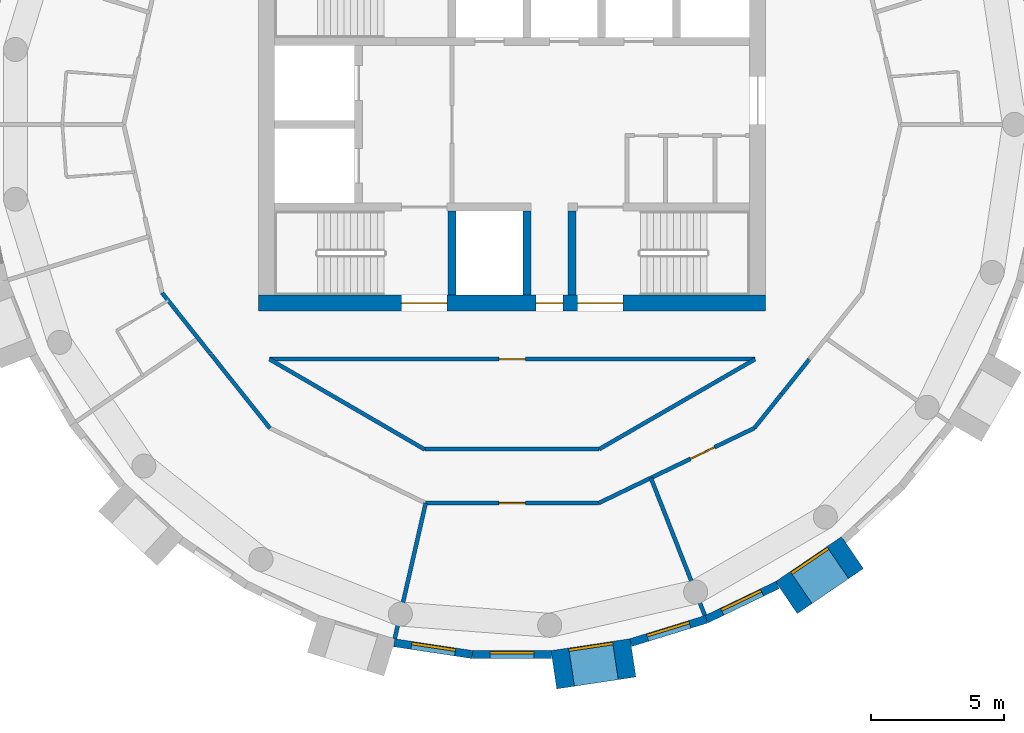
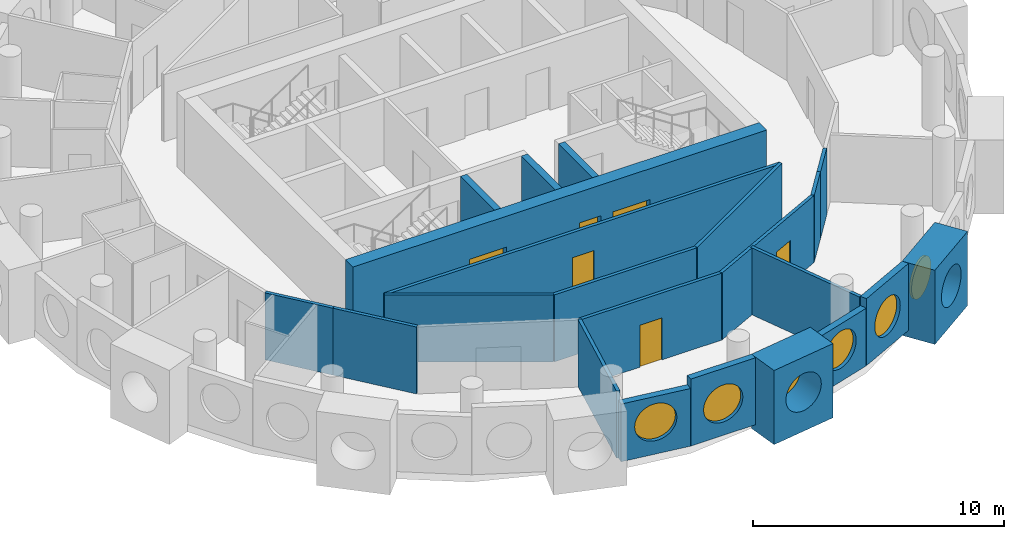
# One storey, part 3 of 12: 22 walls, 6 doors, 6 windows, 12 openings.
"""IFC4 building model written with IfcOpenShell, lengths in metres."""

from ifc_helpers import new_model, si_unit, direction, frame, frame_2d, origin, origin_2d, place, context, subcontext, project, spatial, rectangle, circle, extrude, material, layer, layer_set, type_object, element, fill, save


model = new_model("IFC4")

# Units and contexts
model_context = context("Model", 3, precision=1e-05, world=origin(), true_north=direction((0.0, 1.0)))
body_context = subcontext(model_context, "Body", "Model", "MODEL_VIEW")
ifc_project = project(units=[si_unit("LENGTHUNIT", "METRE"), si_unit("AREAUNIT", "SQUARE_METRE"), si_unit("VOLUMEUNIT", "CUBIC_METRE"), si_unit("PLANEANGLEUNIT", "RADIAN"), si_unit("MASSUNIT", "GRAM", prefix="KILO")], contexts=[model_context])

# Site, building, storey
site_placement = place(None, origin())
site = spatial("IfcSite", under=ifc_project, at=site_placement, CompositionType="ELEMENT")
building_placement = place(site_placement, origin())
building = spatial("IfcBuilding", under=site, at=building_placement, Name="Tracery Tower", CompositionType="ELEMENT")
storey_placement = place(building_placement, frame((0.0, 0.0, 305.39990234375)))
storey = spatial("IfcBuildingStorey", under=building, at=storey_placement, Name="L79", CompositionType="ELEMENT", Elevation=305.39990234375)

# Wall, openings, doors
ifc_material_1 = material(Name="Concrete C40/50", Category="concrete")
ifc_layer_1 = layer(ifc_material_1, 0.60009765625)
ifc_layer_set_1 = layer_set([ifc_layer_1], Name="Core wall 600 C40")
wall_type_1 = type_object("IfcWallType", Name="Core wall 600 C40", PredefinedType="SOLIDWALL", material=ifc_layer_set_1)
wall_1_placement = place(storey_placement, frame((-9.5, -6.699951171875, 0.0), z_axis=(0.0, 0.0, 1.0), x_axis=(1.0, 0.0, 0.0)))
wall_1 = element("IfcWall", 1, at=wall_1_placement, inside=storey, type_object=wall_type_1, Name="L79 outer S", PredefinedType="SOLIDWALL", context=body_context, shape_type="SweptSolid", body=[
    extrude(rectangle(XDim=19.0, YDim=0.60009765625, at=frame_2d((9.5, 0.0))), origin(), (0.0, 0.0, 1.0), 3.60009765625),
])
opening_1_placement = place(wall_1_placement, frame((10.39990234375, 0.0, 0.0)))
opening_1 = element("IfcOpeningElement", 2, at=opening_1_placement, cuts=wall_1, Name="Opening KD16", PredefinedType="OPENING", context=body_context, shape_type="SweptSolid", body=[
    extrude(rectangle(XDim=1.0, YDim=2.10009765625, at=frame_2d((0.5, 1.050048828125))), frame((0.0, 0.300048828125, 0.0), z_axis=(0.0, -1.0, 0.0), x_axis=(1.0, 0.0, 0.0)), (0.0, 0.0, 1.0), 0.60009765625),
])
opening_2_placement = place(wall_1_placement, frame((5.35009765625, 0.0, 0.0)))
opening_2 = element("IfcOpeningElement", 3, at=opening_2_placement, cuts=wall_1, Name="Opening KD3", PredefinedType="OPENING", context=body_context, shape_type="SweptSolid", body=[
    extrude(rectangle(XDim=1.699951171875, YDim=2.10009765625, at=frame_2d((0.85009765625, 1.050048828125))), frame((0.0, 0.300048828125, 0.0), z_axis=(0.0, -1.0, 0.0), x_axis=(1.0, 0.0, 0.0)), (0.0, 0.0, 1.0), 0.60009765625),
])
opening_3_placement = place(wall_1_placement, frame((11.949951171875, 0.0, 0.0)))
opening_3 = element("IfcOpeningElement", 4, at=opening_3_placement, cuts=wall_1, Name="Opening KD3", PredefinedType="OPENING", context=body_context, shape_type="SweptSolid", body=[
    extrude(rectangle(XDim=1.699951171875, YDim=2.10009765625, at=frame_2d((0.85009765625, 1.050048828125))), frame((0.0, 0.300048828125, 0.0), z_axis=(0.0, -1.0, 0.0), x_axis=(1.0, 0.0, 0.0)), (0.0, 0.0, 1.0), 0.60009765625),
])
ifc_material_2 = material(Name="Steel fire door", Category="steel")
door_type_1 = type_object("IfcDoorType", Name="Core exit door 1000", OperationType="NOTDEFINED", PredefinedType="DOOR", material=ifc_material_2)
door_1_placement = place(opening_1_placement, origin())
door_1 = element("IfcDoor", 5, at=door_1_placement, inside=storey, type_object=door_type_1, Name="Core exit door", OperationType="SINGLE_SWING_LEFT", OverallHeight=2.10009765625, OverallWidth=1.0, PredefinedType="DOOR", context=body_context, shape_type="SweptSolid", body=[
    extrude(rectangle(XDim=1.0, YDim=2.10009765625, at=frame_2d((0.5, 1.050048828125))), frame((0.0, 0.02490234375, 0.0), z_axis=(0.0, -1.0, 0.0), x_axis=(1.0, 0.0, 0.0)), (0.0, 0.0, 1.0), 0.050048828125),
])
fill(opening_1, door_1)
ifc_material_3 = material(Name="Steel fire door", Category="steel")
door_type_2 = type_object("IfcDoorType", Name="Core stair door 1700 double", OperationType="NOTDEFINED", PredefinedType="DOOR", material=ifc_material_3)
door_2_placement = place(opening_2_placement, origin())
door_2 = element("IfcDoor", 6, at=door_2_placement, inside=storey, type_object=door_type_2, Name="Stair door ST1 exit", OperationType="DOUBLE_DOOR_SINGLE_SWING", OverallHeight=2.10009765625, OverallWidth=1.699951171875, PredefinedType="DOOR", context=body_context, shape_type="SweptSolid", body=[
    extrude(rectangle(XDim=1.699951171875, YDim=2.10009765625, at=frame_2d((0.85009765625, 1.050048828125))), frame((0.0, 0.02490234375, 0.0), z_axis=(0.0, -1.0, 0.0), x_axis=(1.0, 0.0, 0.0)), (0.0, 0.0, 1.0), 0.050048828125),
])
fill(opening_2, door_2)
door_3_placement = place(opening_3_placement, origin())
door_3 = element("IfcDoor", 7, at=door_3_placement, inside=storey, type_object=door_type_2, Name="Stair door ST2 exit", OperationType="DOUBLE_DOOR_SINGLE_SWING", OverallHeight=2.10009765625, OverallWidth=1.699951171875, PredefinedType="DOOR", context=body_context, shape_type="SweptSolid", body=[
    extrude(rectangle(XDim=1.699951171875, YDim=2.10009765625, at=frame_2d((0.85009765625, 1.050048828125))), frame((0.0, 0.02490234375, 0.0), z_axis=(0.0, -1.0, 0.0), x_axis=(1.0, 0.0, 0.0)), (0.0, 0.0, 1.0), 0.050048828125),
])
fill(opening_3, door_3)

# Wall, opening, window
ifc_material_4 = material(Name="Precast concrete C50/60", Category="concrete")
ifc_layer_2 = layer(ifc_material_4, 1.449951171875)
ifc_layer_set_2 = layer_set([ifc_layer_2], Name="Deep-set bay unit 3000 x 3600, slab edge 350")
wall_type_2 = type_object("IfcWallType", Name="Deep-set bay unit 3000 x 3600, slab edge 350", PredefinedType="ELEMENTEDWALL", material=ifc_layer_set_2)
wall_2_placement = place(storey_placement, frame((1.563232421875, -20.436279296875, -0.349853515625), z_axis=(0.0, 0.0, 1.0), x_axis=(0.988836445254, 0.149004981587, 0.0)))
wall_2 = element("IfcWall", 8, at=wall_2_placement, inside=storey, type_object=wall_type_2, Name="Deep-set bay unit 33 at L79", PredefinedType="ELEMENTEDWALL", context=body_context, shape_type="SweptSolid", body=[
    extrude(rectangle(XDim=3.0, YDim=1.449951171875, at=frame_2d((1.5, 0.0))), origin(), (0.0, 0.0, 1.0), 3.599853515625),
])
opening_4_placement = place(wall_2_placement, frame((1.5, 0.0, 1.89990234375)))
opening_4 = element("IfcOpeningElement", 9, at=opening_4_placement, cuts=wall_2, Name="Opening WN1", PredefinedType="OPENING", context=body_context, shape_type="SweptSolid", body=[
    extrude(circle(Radius=0.9000244140625, at=origin_2d()), frame((0.0, 0.73486328125, 0.0), z_axis=(0.0, -1.0, 0.0), x_axis=(1.0, 0.0, 0.0)), (0.0, 0.0, 1.0), 1.469970703125),
])
ifc_material_5 = material(Name="Aluminium frame with tinted double glazing", Category="aluminium")
window_type = type_object("IfcWindowType", Name="Round window 1800", PartitioningType="SINGLE_PANEL", PredefinedType="WINDOW", material=ifc_material_5)
window_1_placement = place(opening_4_placement, origin())
window_1 = element("IfcWindow", 10, at=window_1_placement, inside=storey, type_object=window_type, Name="Round window 33 at L79", OverallHeight=1.800048828125, OverallWidth=1.800048828125, PartitioningType="SINGLE_PANEL", PredefinedType="WINDOW", context=body_context, shape_type="SweptSolid", body=[
    extrude(circle(Radius=0.9000244140625, at=origin_2d()), frame((0.0, 0.69482421875, 0.0), z_axis=(0.0, -1.0, 0.0), x_axis=(1.0, 0.0, 0.0)), (0.0, 0.0, 1.0), 0.10009765625),
])
fill(opening_4, window_1)

wall_3_placement = place(storey_placement, frame((10.275390625, -17.734130859375, -0.349853515625), z_axis=(0.0, 0.0, 1.0), x_axis=(0.826246281157, 0.563309047392, 0.0)))
wall_3 = element("IfcWall", 11, at=wall_3_placement, inside=storey, type_object=wall_type_2, Name="Deep-set bay unit 36 at L79", PredefinedType="ELEMENTEDWALL", context=body_context, shape_type="SweptSolid", body=[
    extrude(rectangle(XDim=3.0, YDim=1.449951171875, at=frame_2d((1.5, 0.0))), origin(), (0.0, 0.0, 1.0), 3.599853515625),
])
opening_5_placement = place(wall_3_placement, frame((1.5, 0.0, 1.89990234375)))
opening_5 = element("IfcOpeningElement", 12, at=opening_5_placement, cuts=wall_3, Name="Opening WN1", PredefinedType="OPENING", context=body_context, shape_type="SweptSolid", body=[
    extrude(circle(Radius=0.9000244140625, at=origin_2d()), frame((0.0, 0.73486328125, 0.0), z_axis=(0.0, -1.0, 0.0), x_axis=(1.0, 0.0, 0.0)), (0.0, 0.0, 1.0), 1.469970703125),
])
window_2_placement = place(opening_5_placement, origin())
window_2 = element("IfcWindow", 13, at=window_2_placement, inside=storey, type_object=window_type, Name="Round window 36 at L79", OverallHeight=1.800048828125, OverallWidth=1.800048828125, PartitioningType="SINGLE_PANEL", PredefinedType="WINDOW", context=body_context, shape_type="SweptSolid", body=[
    extrude(circle(Radius=0.9000244140625, at=origin_2d()), frame((0.0, 0.69482421875, 0.0), z_axis=(0.0, -1.0, 0.0), x_axis=(1.0, 0.0, 0.0)), (0.0, 0.0, 1.0), 0.10009765625),
])
fill(opening_5, window_2)

ifc_material_6 = material(Name="Precast concrete C50/60", Category="concrete")
ifc_layer_3 = layer(ifc_material_6, 0.300048828125)
ifc_layer_set_3 = layer_set([ifc_layer_3], Name="Facade panel 3000 x 2800")
wall_type_3 = type_object("IfcWallType", Name="Facade panel 3000 x 2800", PredefinedType="SOLIDWALL", material=ifc_layer_set_3)
wall_4_placement = place(storey_placement, frame((-4.41796875, -19.424560546875, 0.0), z_axis=(0.0, 0.0, 1.0), x_axis=(0.988835775663, -0.149009425104, 0.0)))
wall_4 = element("IfcWall", 14, at=wall_4_placement, inside=storey, type_object=wall_type_3, Name="Facade panel 31 at L79", PredefinedType="SOLIDWALL", context=body_context, shape_type="SweptSolid", body=[
    extrude(rectangle(XDim=2.962158203125, YDim=0.300048828125, at=frame_2d((1.48095703125, 0.0))), origin(), (0.0, 0.0, 1.0), 2.800048828125),
])
opening_6_placement = place(wall_4_placement, frame((1.48095703125, 0.0, 1.5498046875)))
opening_6 = element("IfcOpeningElement", 15, at=opening_6_placement, cuts=wall_4, Name="Opening WN1", PredefinedType="OPENING", context=body_context, shape_type="SweptSolid", body=[
    extrude(circle(Radius=0.9000244140625, at=origin_2d()), frame((0.0, 0.159912109375, 0.0), z_axis=(0.0, -1.0, 0.0), x_axis=(1.0, 0.0, 0.0)), (0.0, 0.0, 1.0), 0.320068359375),
])
window_3_placement = place(opening_6_placement, origin())
window_3 = element("IfcWindow", 16, at=window_3_placement, inside=storey, type_object=window_type, Name="Round window 31 at L79", OverallHeight=1.800048828125, OverallWidth=1.800048828125, PartitioningType="SINGLE_PANEL", PredefinedType="WINDOW", context=body_context, shape_type="SweptSolid", body=[
    extrude(circle(Radius=0.9000244140625, at=origin_2d()), frame((0.0, 0.1201171875, 0.0), z_axis=(0.0, -1.0, 0.0), x_axis=(1.0, 0.0, 0.0)), (0.0, 0.0, 1.0), 0.10009765625),
])
fill(opening_6, window_3)

wall_5_placement = place(storey_placement, frame((4.447509765625, -19.417724609375, 0.0), z_axis=(0.0, 0.0, 1.0), x_axis=(0.95558635705, 0.294711238707, 0.0)))
wall_5 = element("IfcWall", 17, at=wall_5_placement, inside=storey, type_object=wall_type_3, Name="Facade panel 34 at L79", PredefinedType="SOLIDWALL", context=body_context, shape_type="SweptSolid", body=[
    extrude(rectangle(XDim=2.96240234375, YDim=0.300048828125, at=frame_2d((1.481201171875, 0.0))), origin(), (0.0, 0.0, 1.0), 2.800048828125),
])
opening_7_placement = place(wall_5_placement, frame((1.48095703125, 0.0, 1.5498046875)))
opening_7 = element("IfcOpeningElement", 18, at=opening_7_placement, cuts=wall_5, Name="Opening WN1", PredefinedType="OPENING", context=body_context, shape_type="SweptSolid", body=[
    extrude(circle(Radius=0.9000244140625, at=origin_2d()), frame((0.0, 0.159912109375, 0.0), z_axis=(0.0, -1.0, 0.0), x_axis=(1.0, 0.0, 0.0)), (0.0, 0.0, 1.0), 0.320068359375),
])
window_4_placement = place(opening_7_placement, origin())
window_4 = element("IfcWindow", 19, at=window_4_placement, inside=storey, type_object=window_type, Name="Round window 34 at L79", OverallHeight=1.800048828125, OverallWidth=1.800048828125, PartitioningType="SINGLE_PANEL", PredefinedType="WINDOW", context=body_context, shape_type="SweptSolid", body=[
    extrude(circle(Radius=0.9000244140625, at=origin_2d()), frame((0.0, 0.1201171875, 0.0), z_axis=(0.0, -1.0, 0.0), x_axis=(1.0, 0.0, 0.0)), (0.0, 0.0, 1.0), 0.10009765625),
])
fill(opening_7, window_4)

ifc_material_7 = material(Name="Precast concrete C50/60", Category="concrete")
ifc_layer_4 = layer(ifc_material_7, 0.300048828125)
ifc_layer_set_4 = layer_set([ifc_layer_4], Name="Facade panel 3000 x 3250")
wall_type_4 = type_object("IfcWallType", Name="Facade panel 3000 x 3250", PredefinedType="SOLIDWALL", material=ifc_layer_set_4)
wall_6_placement = place(storey_placement, frame((-1.48876953125, -19.865966796875, 0.0), z_axis=(0.0, 0.0, 1.0), x_axis=(1.0, 0.0, 0.0)))
wall_6 = element("IfcWall", 20, at=wall_6_placement, inside=storey, type_object=wall_type_4, Name="Facade panel 32 at L79", PredefinedType="SOLIDWALL", context=body_context, shape_type="SweptSolid", body=[
    extrude(rectangle(XDim=2.962158203125, YDim=0.300048828125, at=frame_2d((1.48095703125, 0.0))), origin(), (0.0, 0.0, 1.0), 3.25),
])
opening_8_placement = place(wall_6_placement, frame((1.48095703125, 0.0, 1.5498046875)))
opening_8 = element("IfcOpeningElement", 21, at=opening_8_placement, cuts=wall_6, Name="Opening WN1", PredefinedType="OPENING", context=body_context, shape_type="SweptSolid", body=[
    extrude(circle(Radius=0.9000244140625, at=origin_2d()), frame((0.0, 0.159912109375, 0.0), z_axis=(0.0, -1.0, 0.0), x_axis=(1.0, 0.0, 0.0)), (0.0, 0.0, 1.0), 0.320068359375),
])
window_5_placement = place(opening_8_placement, origin())
window_5 = element("IfcWindow", 22, at=window_5_placement, inside=storey, type_object=window_type, Name="Round window 32 at L79", OverallHeight=1.800048828125, OverallWidth=1.800048828125, PartitioningType="SINGLE_PANEL", PredefinedType="WINDOW", context=body_context, shape_type="SweptSolid", body=[
    extrude(circle(Radius=0.9000244140625, at=origin_2d()), frame((0.0, 0.1201171875, 0.0), z_axis=(0.0, -1.0, 0.0), x_axis=(1.0, 0.0, 0.0)), (0.0, 0.0, 1.0), 0.10009765625),
])
fill(opening_8, window_5)

wall_7_placement = place(storey_placement, frame((7.2783203125, -18.544677734375, 0.0), z_axis=(0.0, 0.0, 1.0), x_axis=(0.900939615635, 0.433944476838, 0.0)))
wall_7 = element("IfcWall", 23, at=wall_7_placement, inside=storey, type_object=wall_type_4, Name="Facade panel 35 at L79", PredefinedType="SOLIDWALL", context=body_context, shape_type="SweptSolid", body=[
    extrude(rectangle(XDim=2.962158203125, YDim=0.300048828125, at=frame_2d((1.48095703125, 0.0))), origin(), (0.0, 0.0, 1.0), 3.25),
])
opening_9_placement = place(wall_7_placement, frame((1.48095703125, 0.0, 1.5498046875)))
opening_9 = element("IfcOpeningElement", 24, at=opening_9_placement, cuts=wall_7, Name="Opening WN1", PredefinedType="OPENING", context=body_context, shape_type="SweptSolid", body=[
    extrude(circle(Radius=0.9000244140625, at=origin_2d()), frame((0.0, 0.159912109375, 0.0), z_axis=(0.0, -1.0, 0.0), x_axis=(1.0, 0.0, 0.0)), (0.0, 0.0, 1.0), 0.320068359375),
])
window_6_placement = place(opening_9_placement, origin())
window_6 = element("IfcWindow", 25, at=window_6_placement, inside=storey, type_object=window_type, Name="Round window 35 at L79", OverallHeight=1.800048828125, OverallWidth=1.800048828125, PartitioningType="SINGLE_PANEL", PredefinedType="WINDOW", context=body_context, shape_type="SweptSolid", body=[
    extrude(circle(Radius=0.9000244140625, at=origin_2d()), frame((0.0, 0.1201171875, 0.0), z_axis=(0.0, -1.0, 0.0), x_axis=(1.0, 0.0, 0.0)), (0.0, 0.0, 1.0), 0.10009765625),
])
fill(opening_9, window_6)

# Walls
ifc_material_8 = material(Name="Plasterboard on steel studs", Category="steel")
ifc_layer_5 = layer(ifc_material_8, 0.14990234375)
ifc_layer_set_5 = layer_set([ifc_layer_5], Name="Partition 150 acoustic unit wall")
wall_type_5 = type_object("IfcWallType", Name="Partition 150 acoustic unit wall", PredefinedType="PARTITIONING", material=ifc_layer_set_5)
wall_8_placement = place(storey_placement, frame((-4.39990234375, -19.27587890625, 0.0), z_axis=(0.0, 0.0, 1.0), x_axis=(0.222612505682, 0.974907007008, 0.0)))
element("IfcWall", 26, at=wall_8_placement, inside=storey, type_object=wall_type_5, Name="Unit wall RC8-085", PredefinedType="PARTITIONING", context=body_context, shape_type="SweptSolid", body=[
    extrude(rectangle(XDim=5.21484375, YDim=0.14990234375, at=frame_2d((2.607421875, 0.0))), origin(), (0.0, 0.0, 1.0), 3.25),
])
wall_9_placement = place(storey_placement, frame((5.198974609375, -13.248046875, 0.0), z_axis=(0.0, 0.0, 1.0), x_axis=(0.365334662456, -0.930876245485, 0.0)))
element("IfcWall", 27, at=wall_9_placement, inside=storey, type_object=wall_type_5, Name="Unit wall RC8-086", PredefinedType="PARTITIONING", context=body_context, shape_type="SweptSolid", body=[
    extrude(rectangle(XDim=5.5400390625, YDim=0.14990234375, at=frame_2d((2.77001953125, 0.0))), origin(), (0.0, 0.0, 1.0), 3.25),
])

# Wall, opening, door
ifc_material_9 = material(Name="Plasterboard on steel studs", Category="steel")
ifc_layer_6 = layer(ifc_material_9, 0.14990234375)
ifc_layer_set_6 = layer_set([ifc_layer_6], Name="Partition 150 corridor wall")
wall_type_6 = type_object("IfcWallType", Name="Partition 150 corridor wall", PredefinedType="PARTITIONING", material=ifc_layer_set_6)
wall_10_placement = place(storey_placement, frame((-9.092041015625, -8.800048828125, 0.0), z_axis=(0.0, 0.0, 1.0), x_axis=(1.0, 0.0, 0.0)))
wall_10 = element("IfcWall", 28, at=wall_10_placement, inside=storey, type_object=wall_type_6, Name="Corridor wall RC8-012", PredefinedType="PARTITIONING", context=body_context, shape_type="SweptSolid", body=[
    extrude(rectangle(XDim=18.192626953125, YDim=0.14990234375, at=frame_2d((9.09619140625, 0.0))), origin(), (0.0, 0.0, 1.0), 3.25),
])
opening_10_placement = place(wall_10_placement, frame((8.592041015625, 0.0, 0.0)))
opening_10 = element("IfcOpeningElement", 29, at=opening_10_placement, cuts=wall_10, Name="Opening RC8-03", PredefinedType="OPENING", context=body_context, shape_type="SweptSolid", body=[
    extrude(rectangle(XDim=1.0, YDim=2.0400390625, at=frame_2d((0.5, 1.02001953125))), frame((0.0, 0.074951171875, 0.0), z_axis=(0.0, -1.0, 0.0), x_axis=(1.0, 0.0, 0.0)), (0.0, 0.0, 1.0), 0.14990234375),
])
ifc_material_10 = material(Name="Timber door leaf", Category="wood")
door_type_3 = type_object("IfcDoorType", Name="Door communal room 1000", OperationType="NOTDEFINED", PredefinedType="DOOR", material=ifc_material_10)
door_4_placement = place(opening_10_placement, origin())
door_4 = element("IfcDoor", 30, at=door_4_placement, inside=storey, type_object=door_type_3, Name="Communal room door RC8-03", OperationType="SINGLE_SWING_RIGHT", OverallHeight=2.0400390625, OverallWidth=1.0, PredefinedType="DOOR", context=body_context, shape_type="SweptSolid", body=[
    extrude(rectangle(XDim=1.0, YDim=2.0400390625, at=frame_2d((0.5, 1.02001953125))), frame((0.0, 0.02490234375, 0.0), z_axis=(0.0, -1.0, 0.0), x_axis=(1.0, 0.0, 0.0)), (0.0, 0.0, 1.0), 0.050048828125),
])
fill(opening_10, door_4)

# Walls
wall_11_placement = place(storey_placement, frame((-9.092041015625, -8.800048828125, 0.0), z_axis=(0.0, 0.0, 1.0), x_axis=(0.864470922103, -0.502682827277, 0.0)))
element("IfcWall", 31, at=wall_11_placement, inside=storey, type_object=wall_type_6, Name="Corridor wall RC8-013", PredefinedType="PARTITIONING", context=body_context, shape_type="SweptSolid", body=[
    extrude(rectangle(XDim=6.7353515625, YDim=0.14990234375, at=frame_2d((3.36767578125, 0.0))), origin(), (0.0, 0.0, 1.0), 3.25),
])
wall_12_placement = place(storey_placement, frame((-11.300048828125, -8.59619140625, 0.0), z_axis=(0.0, 0.0, 1.0), x_axis=(0.623165080354, -0.782090328944, 0.0)))
element("IfcWall", 32, at=wall_12_placement, inside=storey, type_object=wall_type_6, Name="Corridor wall RC8-014", PredefinedType="PARTITIONING", context=body_context, shape_type="SweptSolid", body=[
    extrude(rectangle(XDim=3.56396484375, YDim=0.14990234375, at=frame_2d((1.781982421875, 0.0))), origin(), (0.0, 0.0, 1.0), 3.25),
])
wall_13_placement = place(storey_placement, frame((10.10107421875, -10.10107421875, 0.0), z_axis=(0.0, 0.0, 1.0), x_axis=(0.623098344652, 0.782143498913, 0.0)))
element("IfcWall", 33, at=wall_13_placement, inside=storey, type_object=wall_type_6, Name="Corridor wall RC8-019", PredefinedType="PARTITIONING", context=body_context, shape_type="SweptSolid", body=[
    extrude(rectangle(XDim=1.660888671875, YDim=0.14990234375, at=frame_2d((0.83056640625, 0.0))), origin(), (0.0, 0.0, 1.0), 3.25),
])
wall_14_placement = place(storey_placement, frame((-13.114990234375, -6.31591796875, 0.0), z_axis=(0.0, 0.0, 1.0), x_axis=(0.622042479172, -0.782983495423, 0.0)))
element("IfcWall", 34, at=wall_14_placement, inside=storey, type_object=wall_type_6, Name="Corridor wall RC8-036", PredefinedType="PARTITIONING", context=body_context, shape_type="SweptSolid", body=[
    extrude(rectangle(XDim=2.9111328125, YDim=0.14990234375, at=frame_2d((1.45556640625, 0.0))), origin(), (0.0, 0.0, 1.0), 3.25),
])
wall_15_placement = place(storey_placement, frame((-3.260986328125, -12.1708984375, 0.0), z_axis=(0.0, 0.0, 1.0), x_axis=(1.0, 0.0, 0.0)))
element("IfcWall", 35, at=wall_15_placement, inside=storey, type_object=wall_type_6, Name="Corridor wall RC8-037", PredefinedType="PARTITIONING", context=body_context, shape_type="SweptSolid", body=[
    extrude(rectangle(XDim=6.52197265625, YDim=0.14990234375, at=frame_2d((3.260986328125, 0.0))), origin(), (0.0, 0.0, 1.0), 3.25),
])
wall_16_placement = place(storey_placement, frame((3.260986328125, -12.1708984375, 0.0), z_axis=(0.0, 0.0, 1.0), x_axis=(0.866066809554, 0.499928276245, 0.0)))
element("IfcWall", 36, at=wall_16_placement, inside=storey, type_object=wall_type_6, Name="Corridor wall RC8-038", PredefinedType="PARTITIONING", context=body_context, shape_type="SweptSolid", body=[
    extrude(rectangle(XDim=6.74267578125, YDim=0.14990234375, at=frame_2d((3.371337890625, 0.0))), origin(), (0.0, 0.0, 1.0), 3.25),
])

# Wall, opening, door
wall_17_placement = place(storey_placement, frame((3.239013671875, -14.19189453125, 0.0), z_axis=(0.0, 0.0, 1.0), x_axis=(0.900851590682, 0.434127183629, 0.0)))
wall_17 = element("IfcWall", 37, at=wall_17_placement, inside=storey, type_object=wall_type_6, Name="Corridor wall RC8-040", PredefinedType="PARTITIONING", context=body_context, shape_type="SweptSolid", body=[
    extrude(rectangle(XDim=6.478515625, YDim=0.14990234375, at=frame_2d((3.2392578125, 0.0))), origin(), (0.0, 0.0, 1.0), 3.25),
])
opening_11_placement = place(wall_17_placement, frame((3.82470703125, 0.0, 0.0)))
opening_11 = element("IfcOpeningElement", 38, at=opening_11_placement, cuts=wall_17, Name="Opening RC8-31", PredefinedType="OPENING", context=body_context, shape_type="SweptSolid", body=[
    extrude(rectangle(XDim=1.0, YDim=2.0400390625, at=frame_2d((0.5, 1.02001953125))), frame((0.0, 0.074951171875, 0.0), z_axis=(0.0, -1.0, 0.0), x_axis=(1.0, 0.0, 0.0)), (0.0, 0.0, 1.0), 0.14990234375),
])
door_5_placement = place(opening_11_placement, origin())
door_5 = element("IfcDoor", 39, at=door_5_placement, inside=storey, type_object=door_type_3, Name="Communal room door RC8-31", OperationType="SINGLE_SWING_RIGHT", OverallHeight=2.0400390625, OverallWidth=1.0, PredefinedType="DOOR", context=body_context, shape_type="SweptSolid", body=[
    extrude(rectangle(XDim=1.0, YDim=2.0400390625, at=frame_2d((0.5, 1.02001953125))), frame((0.0, 0.02490234375, 0.0), z_axis=(0.0, -1.0, 0.0), x_axis=(1.0, 0.0, 0.0)), (0.0, 0.0, 1.0), 0.050048828125),
])
fill(opening_11, door_5)

wall_18_placement = place(storey_placement, frame((-3.239013671875, -14.19189453125, 0.0), z_axis=(0.0, 0.0, 1.0), x_axis=(1.0, 0.0, 0.0)))
wall_18 = element("IfcWall", 40, at=wall_18_placement, inside=storey, type_object=wall_type_6, Name="Corridor wall RC8-041", PredefinedType="PARTITIONING", context=body_context, shape_type="SweptSolid", body=[
    extrude(rectangle(XDim=6.47802734375, YDim=0.14990234375, at=frame_2d((3.239013671875, 0.0))), origin(), (0.0, 0.0, 1.0), 3.25),
])
opening_12_placement = place(wall_18_placement, frame((2.739013671875, 0.0, 0.0)))
opening_12 = element("IfcOpeningElement", 41, at=opening_12_placement, cuts=wall_18, Name="Opening RC8-30", PredefinedType="OPENING", context=body_context, shape_type="SweptSolid", body=[
    extrude(rectangle(XDim=1.0, YDim=2.0400390625, at=frame_2d((0.5, 1.02001953125))), frame((0.0, 0.074951171875, 0.0), z_axis=(0.0, -1.0, 0.0), x_axis=(1.0, 0.0, 0.0)), (0.0, 0.0, 1.0), 0.14990234375),
])
door_6_placement = place(opening_12_placement, origin())
door_6 = element("IfcDoor", 42, at=door_6_placement, inside=storey, type_object=door_type_3, Name="Communal room door RC8-30", OperationType="SINGLE_SWING_RIGHT", OverallHeight=2.0400390625, OverallWidth=1.0, PredefinedType="DOOR", context=body_context, shape_type="SweptSolid", body=[
    extrude(rectangle(XDim=1.0, YDim=2.0400390625, at=frame_2d((0.5, 1.02001953125))), frame((0.0, 0.02490234375, 0.0), z_axis=(0.0, -1.0, 0.0), x_axis=(1.0, 0.0, 0.0)), (0.0, 0.0, 1.0), 0.050048828125),
])
fill(opening_12, door_6)

# Walls
wall_19_placement = place(storey_placement, frame((9.075927734375, -11.381103515625, 0.0), z_axis=(0.0, 0.0, 1.0), x_axis=(0.623805208652, 0.781579849829, 0.0)))
element("IfcWall", 43, at=wall_19_placement, inside=storey, type_object=wall_type_6, Name="Corridor wall RC8-042", PredefinedType="PARTITIONING", context=body_context, shape_type="SweptSolid", body=[
    extrude(rectangle(XDim=1.64013671875, YDim=0.14990234375, at=frame_2d((0.820068359375, 0.0))), origin(), (0.0, 0.0, 1.0), 3.25),
])
ifc_material_11 = material(Name="Concrete C40/50", Category="concrete")
ifc_layer_7 = layer(ifc_material_11, 0.300048828125)
ifc_layer_set_7 = layer_set([ifc_layer_7], Name="Shaft wall 300 C40")
wall_type_7 = type_object("IfcWallType", Name="Shaft wall 300 C40", PredefinedType="SOLIDWALL", material=ifc_layer_set_7)
wall_20_placement = place(storey_placement, frame((0.550048828125, -6.39990234375, 0.0), z_axis=(0.0, 0.0, 1.0), x_axis=(0.0, 1.0, 0.0)))
element("IfcWall", 44, at=wall_20_placement, inside=storey, type_object=wall_type_7, Name="L79 OB2 E", PredefinedType="SOLIDWALL", context=body_context, shape_type="SweptSolid", body=[
    extrude(rectangle(XDim=3.14990234375, YDim=0.300048828125, at=frame_2d((1.574951171875, 0.0))), origin(), (0.0, 0.0, 1.0), 3.25),
])
ifc_material_12 = material(Name="Concrete C40/50", Category="concrete")
ifc_layer_8 = layer(ifc_material_12, 0.300048828125)
ifc_layer_set_8 = layer_set([ifc_layer_8], Name="Stair wall 300 C40")
wall_type_8 = type_object("IfcWallType", Name="Stair wall 300 C40", PredefinedType="SOLIDWALL", material=ifc_layer_set_8)
for number, where, z_axis, x_axis, name in (
    (45, (-2.25, -6.39990234375, 0.0), (0.0, 0.0, 1.0), (0.0, 1.0, 0.0), "L79 ST1 E"),
    (46, (2.25, -6.39990234375, 0.0), (0.0, 0.0, 1.0), (0.0, 1.0, 0.0), "L79 ST2 W"),
):
    element("IfcWall", number, at=place(storey_placement, frame(where, z_axis=z_axis, x_axis=x_axis)), inside=storey, type_object=wall_type_8, Name=name, PredefinedType="SOLIDWALL", context=body_context, shape_type="SweptSolid", body=[
        extrude(rectangle(XDim=3.14990234375, YDim=0.300048828125, at=frame_2d((1.574951171875, 0.0))), origin(), (0.0, 0.0, 1.0), 3.25),
    ])

save(model, "model.ifc")
